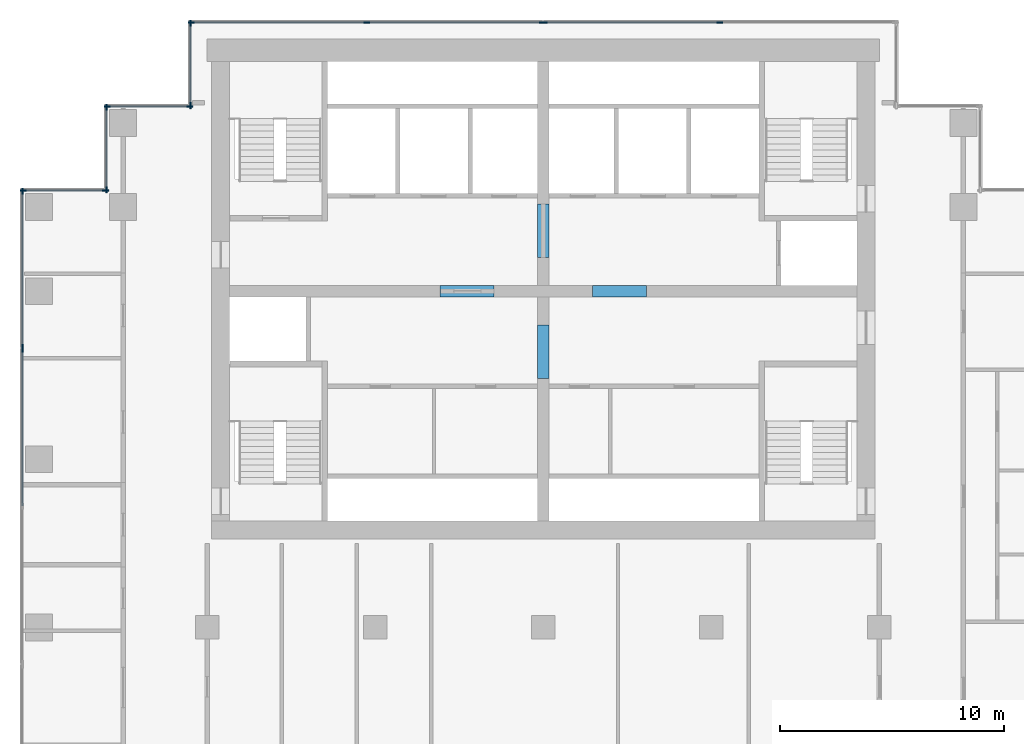
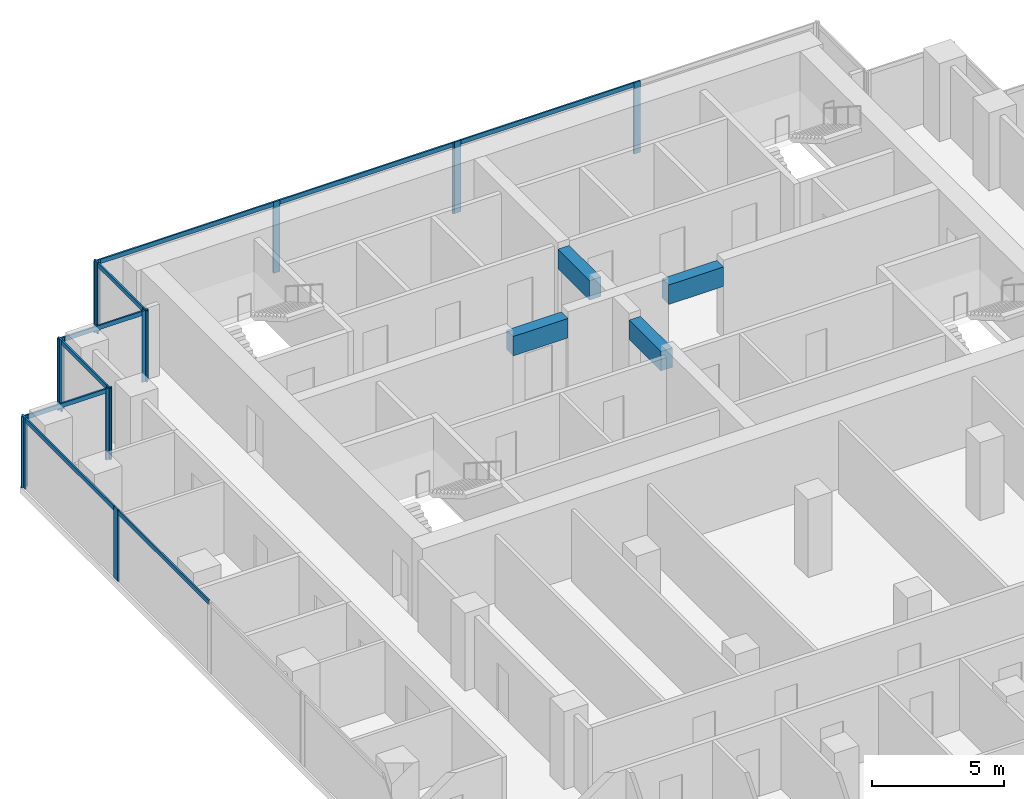
# One storey, part 4 of 11: 25 members, 4 beams, 8 elements without a shape of their own.
"""IFC4 building model written with IfcOpenShell, lengths in metres."""

from ifc_helpers import new_model, si_unit, direction, frame, origin, origin_2d, place, context, subcontext, project, spatial, rectangle, extrude, material, material_profile, profile_set, type_object, element, aggregate, save


model = new_model("IFC4")

# Units and contexts
model_context = context("Model", 3, precision=1e-05, world=origin(), true_north=direction((0.0, 1.0)))
body_context = subcontext(model_context, "Body", "Model", "MODEL_VIEW")
ifc_project = project(units=[si_unit("LENGTHUNIT", "METRE"), si_unit("AREAUNIT", "SQUARE_METRE"), si_unit("VOLUMEUNIT", "CUBIC_METRE"), si_unit("PLANEANGLEUNIT", "RADIAN"), si_unit("MASSUNIT", "GRAM", prefix="KILO")], contexts=[model_context])

# Site, building, storey
site_placement = place(None, origin())
site = spatial("IfcSite", under=ifc_project, at=site_placement, CompositionType="ELEMENT")
building_placement = place(site_placement, origin())
building = spatial("IfcBuilding", under=site, at=building_placement, Name="Pilkhan Gate Tower", CompositionType="ELEMENT")
storey_placement = place(building_placement, frame((0.0, 0.0, 172.89990234375)))
storey = spatial("IfcBuildingStorey", under=building, at=storey_placement, Name="L44", CompositionType="ELEMENT", Elevation=172.89990234375)

# Beams
ifc_material_1 = material(Name="Concrete C60/75", Category="concrete")
ifc_material_profile_1 = material_profile(ifc_material_1, rectangle(XDim=0.5, YDim=0.89990234375, at=origin_2d()), Name="RC 500x900")
ifc_profile_set_1 = profile_set([ifc_material_profile_1], Name="Concrete C60/75")
beam_type = type_object("IfcBeamType", Name="Coupling beam CB90 RC 500x900 C60/75", PredefinedType="LINTEL", material=ifc_profile_set_1)
for number, where, z_axis, x_axis, name in (
    (1, (70.39990234375, 82.5, 2.85009765625), (1.0, 0.0, 0.0), (0.0, 1.0, 0.0), "Coupling beam 1 L44"),
    (2, (77.199951171875, 82.5, 2.85009765625), (1.0, 0.0, 0.0), (0.0, 1.0, 0.0), "Coupling beam 2 L44"),
):
    element("IfcBeam", number, at=place(storey_placement, frame(where, z_axis=z_axis, x_axis=x_axis)), inside=storey, type_object=beam_type, Name=name, PredefinedType="LINTEL", context=body_context, shape_type="SweptSolid", body=[
        extrude(rectangle(XDim=0.5, YDim=0.89990234375, at=origin_2d()), origin(), (0.0, 0.0, 1.0), 2.400146484375),
    ])
for number, where, z_axis, x_axis, name in (
    (3, (75.0, 78.60009765625, 2.85009765625), (0.0, 1.0, 0.0), (-1.0, 0.0, 0.0), "Coupling beam 3 L44"),
    (4, (75.0, 84.0, 2.85009765625), (0.0, 1.0, 0.0), (-1.0, 0.0, 0.0), "Coupling beam 4 L44"),
):
    element("IfcBeam", number, at=place(storey_placement, frame(where, z_axis=z_axis, x_axis=x_axis)), inside=storey, type_object=beam_type, Name=name, PredefinedType="LINTEL", context=body_context, shape_type="SweptSolid", body=[
        extrude(rectangle(XDim=0.5, YDim=0.89990234375, at=origin_2d()), origin(), (0.0, 0.0, 1.0), 2.39990234375),
    ])

# Curtain wall, members
ifc_material_2 = material(Name="Pale anodised aluminium, clear low-iron double glazing", Category="aluminium")
curtain_wall_type = type_object("IfcCurtainWallType", Name="Office unitised curtain wall CW-O1", PredefinedType="USERDEFINED", material=ifc_material_2)
curtain_wall_1_placement = place(storey_placement, origin())
curtain_wall_1 = element("IfcCurtainWall", 5, at=curtain_wall_1_placement, inside=storey, type_object=curtain_wall_type, Name="Office unitised curtain wall CW-O1 L44 N", ObjectType="UNITISED CURTAIN WALL", PredefinedType="USERDEFINED")
ifc_material_3 = material(Name="Pale anodised aluminium", Category="aluminium")
ifc_material_profile_2 = material_profile(ifc_material_3, rectangle(XDim=0.070068359375, YDim=0.27490234375, at=origin_2d()), Name="Mullion 275x70")
ifc_profile_set_2 = profile_set([ifc_material_profile_2], Name="Pale anodised aluminium")
member_type_1 = type_object("IfcMemberType", Name="Mullion CW-O1 275x70", PredefinedType="MULLION", material=ifc_profile_set_2)
member_1_placement = place(storey_placement, frame((59.284912109375, 94.5, 0.0), z_axis=(0.0, 0.0, 1.0), x_axis=(0.0, 1.0, 0.0)))
member_1 = element("IfcMember", 6, at=member_1_placement, type_object=member_type_1, Name="CW-O1 mullion 1", PredefinedType="MULLION", context=body_context, shape_type="SweptSolid", body=[
    extrude(rectangle(XDim=0.070068359375, YDim=0.27490234375, at=origin_2d()), origin(), (0.0, 0.0, 1.0), 3.300048828125),
])
member_2_placement = place(storey_placement, frame((67.125, 94.5, 0.0), z_axis=(0.0, 0.0, 1.0), x_axis=(0.0, 1.0, 0.0)))
member_2 = element("IfcMember", 7, at=member_2_placement, type_object=member_type_1, Name="CW-O1 mullion 2", PredefinedType="MULLION", context=body_context, shape_type="SweptSolid", body=[
    extrude(rectangle(XDim=0.070068359375, YDim=0.27490234375, at=origin_2d()), origin(), (0.0, 0.0, 1.0), 3.300048828125),
])
member_3_placement = place(storey_placement, frame((74.965087890625, 94.5, 0.0), z_axis=(0.0, 0.0, 1.0), x_axis=(0.0, 1.0, 0.0)))
member_3 = element("IfcMember", 8, at=member_3_placement, type_object=member_type_1, Name="CW-O1 mullion 3", PredefinedType="MULLION", context=body_context, shape_type="SweptSolid", body=[
    extrude(rectangle(XDim=0.070068359375, YDim=0.27490234375, at=origin_2d()), origin(), (0.0, 0.0, 1.0), 3.300048828125),
])

curtain_wall_2_placement = place(storey_placement, origin())
curtain_wall_2 = element("IfcCurtainWall", 9, at=curtain_wall_2_placement, inside=storey, type_object=curtain_wall_type, Name="Office unitised curtain wall CW-O1 L44 N", ObjectType="UNITISED CURTAIN WALL", PredefinedType="USERDEFINED")
member_4_placement = place(storey_placement, frame((75.034912109375, 94.5, 0.0), z_axis=(0.0, 0.0, 1.0), x_axis=(0.0, 1.0, 0.0)))
member_4 = element("IfcMember", 10, at=member_4_placement, type_object=member_type_1, Name="CW-O1 mullion 1", PredefinedType="MULLION", context=body_context, shape_type="SweptSolid", body=[
    extrude(rectangle(XDim=0.070068359375, YDim=0.27490234375, at=origin_2d()), origin(), (0.0, 0.0, 1.0), 3.300048828125),
])
member_5_placement = place(storey_placement, frame((82.875, 94.5, 0.0), z_axis=(0.0, 0.0, 1.0), x_axis=(0.0, 1.0, 0.0)))
member_5 = element("IfcMember", 11, at=member_5_placement, type_object=member_type_1, Name="CW-O1 mullion 2", PredefinedType="MULLION", context=body_context, shape_type="SweptSolid", body=[
    extrude(rectangle(XDim=0.070068359375, YDim=0.27490234375, at=origin_2d()), origin(), (0.0, 0.0, 1.0), 3.300048828125),
])

curtain_wall_3_placement = place(storey_placement, origin())
curtain_wall_3 = element("IfcCurtainWall", 12, at=curtain_wall_3_placement, inside=storey, type_object=curtain_wall_type, Name="Office unitised curtain wall CW-O1 L44 W", ObjectType="UNITISED CURTAIN WALL", PredefinedType="USERDEFINED")
member_6_placement = place(storey_placement, frame((59.25, 90.784912109375, 0.0), z_axis=(0.0, 0.0, 1.0), x_axis=(-1.0, 0.0, 0.0)))
member_6 = element("IfcMember", 13, at=member_6_placement, type_object=member_type_1, Name="CW-O1 mullion 1", PredefinedType="MULLION", context=body_context, shape_type="SweptSolid", body=[
    extrude(rectangle(XDim=0.070068359375, YDim=0.27490234375, at=origin_2d()), origin(), (0.0, 0.0, 1.0), 3.300048828125),
])
member_7_placement = place(storey_placement, frame((59.25, 94.465087890625, 0.0), z_axis=(0.0, 0.0, 1.0), x_axis=(-1.0, 0.0, 0.0)))
member_7 = element("IfcMember", 14, at=member_7_placement, type_object=member_type_1, Name="CW-O1 mullion 2", PredefinedType="MULLION", context=body_context, shape_type="SweptSolid", body=[
    extrude(rectangle(XDim=0.070068359375, YDim=0.27490234375, at=origin_2d()), origin(), (0.0, 0.0, 1.0), 3.300048828125),
])

curtain_wall_4_placement = place(storey_placement, origin())
curtain_wall_4 = element("IfcCurtainWall", 15, at=curtain_wall_4_placement, inside=storey, type_object=curtain_wall_type, Name="Office unitised curtain wall CW-O1 L44 N", ObjectType="UNITISED CURTAIN WALL", PredefinedType="USERDEFINED")
member_8_placement = place(storey_placement, frame((55.534912109375, 90.75, 0.0), z_axis=(0.0, 0.0, 1.0), x_axis=(0.0, 1.0, 0.0)))
member_8 = element("IfcMember", 16, at=member_8_placement, type_object=member_type_1, Name="CW-O1 mullion 1", PredefinedType="MULLION", context=body_context, shape_type="SweptSolid", body=[
    extrude(rectangle(XDim=0.070068359375, YDim=0.27490234375, at=origin_2d()), origin(), (0.0, 0.0, 1.0), 3.300048828125),
])
member_9_placement = place(storey_placement, frame((59.215087890625, 90.75, 0.0), z_axis=(0.0, 0.0, 1.0), x_axis=(0.0, 1.0, 0.0)))
member_9 = element("IfcMember", 17, at=member_9_placement, type_object=member_type_1, Name="CW-O1 mullion 2", PredefinedType="MULLION", context=body_context, shape_type="SweptSolid", body=[
    extrude(rectangle(XDim=0.070068359375, YDim=0.27490234375, at=origin_2d()), origin(), (0.0, 0.0, 1.0), 3.300048828125),
])

curtain_wall_5_placement = place(storey_placement, origin())
curtain_wall_5 = element("IfcCurtainWall", 18, at=curtain_wall_5_placement, inside=storey, type_object=curtain_wall_type, Name="Office unitised curtain wall CW-O1 L44 W", ObjectType="UNITISED CURTAIN WALL", PredefinedType="USERDEFINED")
member_10_placement = place(storey_placement, frame((55.5, 87.034912109375, 0.0), z_axis=(0.0, 0.0, 1.0), x_axis=(-1.0, 0.0, 0.0)))
member_10 = element("IfcMember", 19, at=member_10_placement, type_object=member_type_1, Name="CW-O1 mullion 1", PredefinedType="MULLION", context=body_context, shape_type="SweptSolid", body=[
    extrude(rectangle(XDim=0.070068359375, YDim=0.27490234375, at=origin_2d()), origin(), (0.0, 0.0, 1.0), 3.300048828125),
])
member_11_placement = place(storey_placement, frame((55.5, 90.715087890625, 0.0), z_axis=(0.0, 0.0, 1.0), x_axis=(-1.0, 0.0, 0.0)))
member_11 = element("IfcMember", 20, at=member_11_placement, type_object=member_type_1, Name="CW-O1 mullion 2", PredefinedType="MULLION", context=body_context, shape_type="SweptSolid", body=[
    extrude(rectangle(XDim=0.070068359375, YDim=0.27490234375, at=origin_2d()), origin(), (0.0, 0.0, 1.0), 3.300048828125),
])

curtain_wall_6_placement = place(storey_placement, origin())
curtain_wall_6 = element("IfcCurtainWall", 21, at=curtain_wall_6_placement, inside=storey, type_object=curtain_wall_type, Name="Office unitised curtain wall CW-O1 L44 N", ObjectType="UNITISED CURTAIN WALL", PredefinedType="USERDEFINED")
member_12_placement = place(storey_placement, frame((51.784912109375, 87.0, 0.0), z_axis=(0.0, 0.0, 1.0), x_axis=(0.0, 1.0, 0.0)))
member_12 = element("IfcMember", 22, at=member_12_placement, type_object=member_type_1, Name="CW-O1 mullion 1", PredefinedType="MULLION", context=body_context, shape_type="SweptSolid", body=[
    extrude(rectangle(XDim=0.070068359375, YDim=0.27490234375, at=origin_2d()), origin(), (0.0, 0.0, 1.0), 3.300048828125),
])
member_13_placement = place(storey_placement, frame((55.465087890625, 87.0, 0.0), z_axis=(0.0, 0.0, 1.0), x_axis=(0.0, 1.0, 0.0)))
member_13 = element("IfcMember", 23, at=member_13_placement, type_object=member_type_1, Name="CW-O1 mullion 2", PredefinedType="MULLION", context=body_context, shape_type="SweptSolid", body=[
    extrude(rectangle(XDim=0.070068359375, YDim=0.27490234375, at=origin_2d()), origin(), (0.0, 0.0, 1.0), 3.300048828125),
])

# Curtain wall, member
curtain_wall_7_placement = place(storey_placement, origin())
curtain_wall_7 = element("IfcCurtainWall", 24, at=curtain_wall_7_placement, inside=storey, type_object=curtain_wall_type, Name="Office unitised curtain wall CW-O1 L44 W", ObjectType="UNITISED CURTAIN WALL", PredefinedType="USERDEFINED")
member_14_placement = place(storey_placement, frame((51.75, 79.9150390625, 0.0), z_axis=(0.0, 0.0, 1.0), x_axis=(-1.0, 0.0, 0.0)))
member_14 = element("IfcMember", 25, at=member_14_placement, type_object=member_type_1, Name="CW-O1 mullion 3", PredefinedType="MULLION", context=body_context, shape_type="SweptSolid", body=[
    extrude(rectangle(XDim=0.070068359375, YDim=0.27490234375, at=origin_2d()), origin(), (0.0, 0.0, 1.0), 3.300048828125),
])

# Curtain wall, members
curtain_wall_8_placement = place(storey_placement, origin())
curtain_wall_8 = element("IfcCurtainWall", 26, at=curtain_wall_8_placement, inside=storey, type_object=curtain_wall_type, Name="Office unitised curtain wall CW-O1 L44 W", ObjectType="UNITISED CURTAIN WALL", PredefinedType="USERDEFINED")
member_15_placement = place(storey_placement, frame((51.75, 79.985107421875, 0.0), z_axis=(0.0, 0.0, 1.0), x_axis=(-1.0, 0.0, 0.0)))
member_15 = element("IfcMember", 27, at=member_15_placement, type_object=member_type_1, Name="CW-O1 mullion 1", PredefinedType="MULLION", context=body_context, shape_type="SweptSolid", body=[
    extrude(rectangle(XDim=0.070068359375, YDim=0.27490234375, at=origin_2d()), origin(), (0.0, 0.0, 1.0), 3.300048828125),
])
member_16_placement = place(storey_placement, frame((51.75, 86.965087890625, 0.0), z_axis=(0.0, 0.0, 1.0), x_axis=(-1.0, 0.0, 0.0)))
member_16 = element("IfcMember", 28, at=member_16_placement, type_object=member_type_1, Name="CW-O1 mullion 2", PredefinedType="MULLION", context=body_context, shape_type="SweptSolid", body=[
    extrude(rectangle(XDim=0.070068359375, YDim=0.27490234375, at=origin_2d()), origin(), (0.0, 0.0, 1.0), 3.300048828125),
])

# Member
ifc_material_profile_3 = material_profile(ifc_material_3, rectangle(XDim=0.070068359375, YDim=0.199951171875, at=origin_2d()), Name="Transom 200x70")
ifc_profile_set_3 = profile_set([ifc_material_profile_3], Name="Pale anodised aluminium")
member_type_2 = type_object("IfcMemberType", Name="Transom CW-O1 200x70", PredefinedType="USERDEFINED", material=ifc_profile_set_3)
member_17_placement = place(storey_placement, frame((59.320068359375, 94.5, 3.2001953125), z_axis=(1.0, 0.0, 0.0), x_axis=(0.0, 1.0, 0.0)))
member_17 = element("IfcMember", 29, at=member_17_placement, type_object=member_type_2, Name="CW-O1 transom 1", ObjectType="TRANSOM", PredefinedType="USERDEFINED", context=body_context, shape_type="SweptSolid", body=[
    extrude(rectangle(XDim=0.070068359375, YDim=0.199951171875, at=origin_2d()), origin(), (0.0, 0.0, 1.0), 7.77001953125),
])

member_18_placement = place(storey_placement, frame((67.159912109375, 94.5, 3.2001953125), z_axis=(1.0, 0.0, 0.0), x_axis=(0.0, 1.0, 0.0)))
member_18 = element("IfcMember", 30, at=member_18_placement, type_object=member_type_2, Name="CW-O1 transom 2", ObjectType="TRANSOM", PredefinedType="USERDEFINED", context=body_context, shape_type="SweptSolid", body=[
    extrude(rectangle(XDim=0.070068359375, YDim=0.199951171875, at=origin_2d()), origin(), (0.0, 0.0, 1.0), 7.77001953125),
])

aggregate(curtain_wall_1, [member_1, member_2, member_3, member_17, member_18])

member_19_placement = place(storey_placement, frame((75.070068359375, 94.5, 3.2001953125), z_axis=(1.0, 0.0, 0.0), x_axis=(0.0, 1.0, 0.0)))
member_19 = element("IfcMember", 31, at=member_19_placement, type_object=member_type_2, Name="CW-O1 transom 1", ObjectType="TRANSOM", PredefinedType="USERDEFINED", context=body_context, shape_type="SweptSolid", body=[
    extrude(rectangle(XDim=0.070068359375, YDim=0.199951171875, at=origin_2d()), origin(), (0.0, 0.0, 1.0), 7.77001953125),
])

aggregate(curtain_wall_2, [member_4, member_5, member_19])

member_20_placement = place(storey_placement, frame((59.25, 90.820068359375, 3.2001953125), z_axis=(0.0, 1.0, 0.0), x_axis=(-1.0, 0.0, 0.0)))
member_20 = element("IfcMember", 32, at=member_20_placement, type_object=member_type_2, Name="CW-O1 transom 1", ObjectType="TRANSOM", PredefinedType="USERDEFINED", context=body_context, shape_type="SweptSolid", body=[
    extrude(rectangle(XDim=0.070068359375, YDim=0.199951171875, at=origin_2d()), origin(), (0.0, 0.0, 1.0), 3.60986328125),
])

aggregate(curtain_wall_3, [member_6, member_7, member_20])

member_21_placement = place(storey_placement, frame((55.570068359375, 90.75, 3.2001953125), z_axis=(1.0, 0.0, 0.0), x_axis=(0.0, 1.0, 0.0)))
member_21 = element("IfcMember", 33, at=member_21_placement, type_object=member_type_2, Name="CW-O1 transom 1", ObjectType="TRANSOM", PredefinedType="USERDEFINED", context=body_context, shape_type="SweptSolid", body=[
    extrude(rectangle(XDim=0.070068359375, YDim=0.199951171875, at=origin_2d()), origin(), (0.0, 0.0, 1.0), 3.60986328125),
])

aggregate(curtain_wall_4, [member_8, member_9, member_21])

member_22_placement = place(storey_placement, frame((55.5, 87.070068359375, 3.2001953125), z_axis=(0.0, 1.0, 0.0), x_axis=(-1.0, 0.0, 0.0)))
member_22 = element("IfcMember", 34, at=member_22_placement, type_object=member_type_2, Name="CW-O1 transom 1", ObjectType="TRANSOM", PredefinedType="USERDEFINED", context=body_context, shape_type="SweptSolid", body=[
    extrude(rectangle(XDim=0.070068359375, YDim=0.199951171875, at=origin_2d()), origin(), (0.0, 0.0, 1.0), 3.60986328125),
])

aggregate(curtain_wall_5, [member_10, member_11, member_22])

member_23_placement = place(storey_placement, frame((51.820068359375, 87.0, 3.2001953125), z_axis=(1.0, 0.0, 0.0), x_axis=(0.0, 1.0, 0.0)))
member_23 = element("IfcMember", 35, at=member_23_placement, type_object=member_type_2, Name="CW-O1 transom 1", ObjectType="TRANSOM", PredefinedType="USERDEFINED", context=body_context, shape_type="SweptSolid", body=[
    extrude(rectangle(XDim=0.070068359375, YDim=0.199951171875, at=origin_2d()), origin(), (0.0, 0.0, 1.0), 3.60986328125),
])

aggregate(curtain_wall_6, [member_12, member_13, member_23])

member_24_placement = place(storey_placement, frame((51.75, 72.93505859375, 3.2001953125), z_axis=(0.0, 1.0, 0.0), x_axis=(-1.0, 0.0, 0.0)))
member_24 = element("IfcMember", 36, at=member_24_placement, type_object=member_type_2, Name="CW-O1 transom 2", ObjectType="TRANSOM", PredefinedType="USERDEFINED", context=body_context, shape_type="SweptSolid", body=[
    extrude(rectangle(XDim=0.070068359375, YDim=0.199951171875, at=origin_2d()), origin(), (0.0, 0.0, 1.0), 6.94482421875),
])

aggregate(curtain_wall_7, [member_14, member_24])

member_25_placement = place(storey_placement, frame((51.75, 80.02001953125, 3.2001953125), z_axis=(0.0, 1.0, 0.0), x_axis=(-1.0, 0.0, 0.0)))
member_25 = element("IfcMember", 37, at=member_25_placement, type_object=member_type_2, Name="CW-O1 transom 1", ObjectType="TRANSOM", PredefinedType="USERDEFINED", context=body_context, shape_type="SweptSolid", body=[
    extrude(rectangle(XDim=0.070068359375, YDim=0.199951171875, at=origin_2d()), origin(), (0.0, 0.0, 1.0), 6.909912109375),
])

aggregate(curtain_wall_8, [member_15, member_16, member_25])

save(model, "model.ifc")
